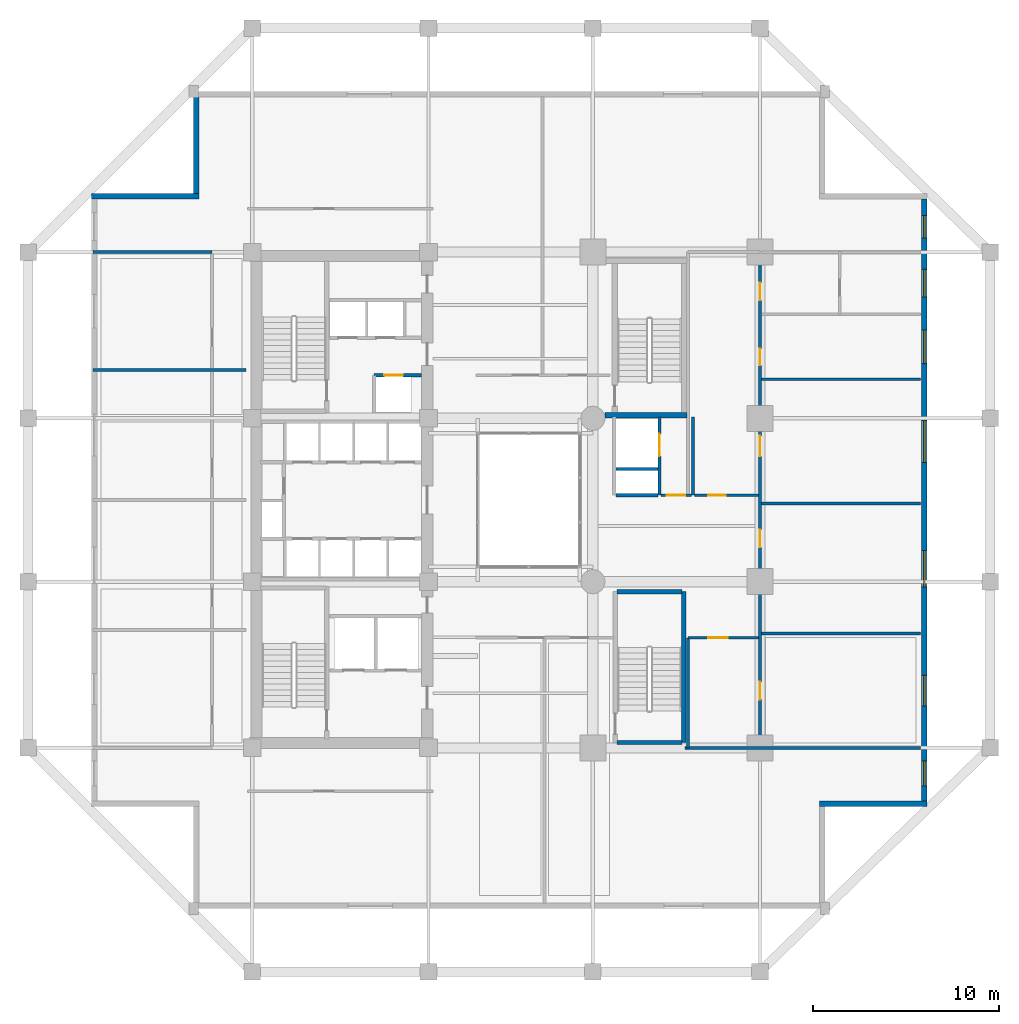
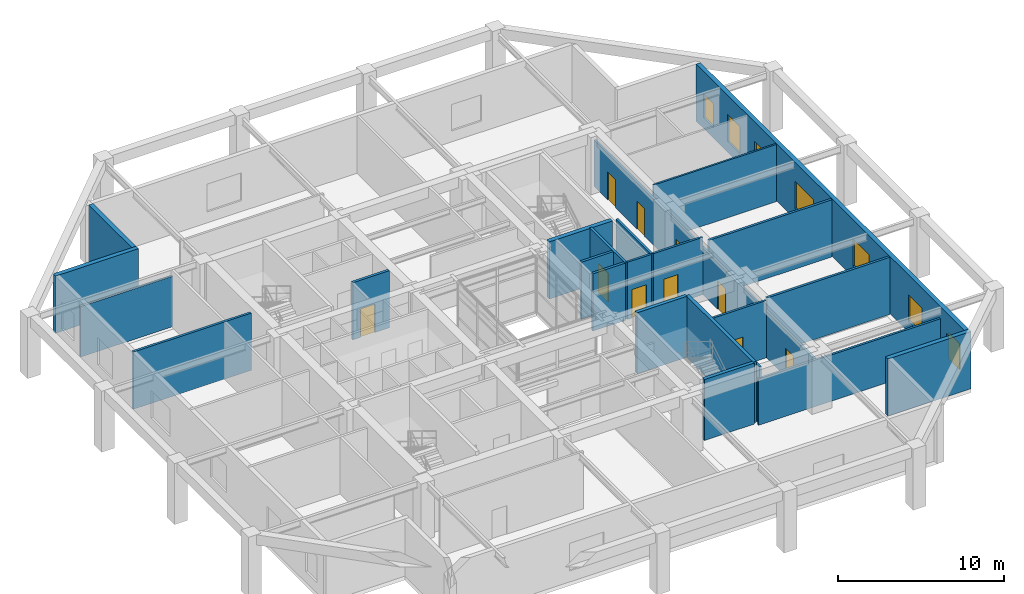
# One storey, part 8 of 13: 24 walls, 10 doors, 7 windows, 17 openings.
"""IFC4 building model written with IfcOpenShell, lengths in metres."""

from ifc_helpers import new_model, si_unit, direction, frame, frame_2d, origin, place, context, subcontext, project, spatial, rectangle, extrude, material, layer, layer_set, type_object, element, fill, save


model = new_model("IFC4")

# Units and contexts
model_context = context("Model", 3, precision=1e-05, world=origin(), true_north=direction((0.0, 1.0)))
body_context = subcontext(model_context, "Body", "Model", "MODEL_VIEW")
ifc_project = project(units=[si_unit("LENGTHUNIT", "METRE"), si_unit("AREAUNIT", "SQUARE_METRE"), si_unit("VOLUMEUNIT", "CUBIC_METRE"), si_unit("PLANEANGLEUNIT", "RADIAN"), si_unit("MASSUNIT", "GRAM", prefix="KILO")], contexts=[model_context])

# Site, building, storey
site_placement = place(None, origin())
site = spatial("IfcSite", under=ifc_project, at=site_placement, CompositionType="ELEMENT")
building_placement = place(site_placement, origin())
building = spatial("IfcBuilding", under=site, at=building_placement, Name="Kundavana Baori Tower", CompositionType="ELEMENT")
storey_placement = place(building_placement, frame((0.0, 0.0, 17.0)))
storey = spatial("IfcBuildingStorey", under=building, at=storey_placement, Name="L03", CompositionType="ELEMENT", Elevation=17.0)

# Walls
ifc_material_1 = material(Name="Concrete C50/60", Category="concrete")
ifc_layer_1 = layer(ifc_material_1, 0.39990234375, Name="WL-CORE-400")
ifc_layer_set_1 = layer_set([ifc_layer_1], Name="Concrete C50/60")
wall_type_1 = type_object("IfcWallType", Name="WL-CORE-400", PredefinedType="SHEAR", material=ifc_layer_set_1)
wall_1_placement = place(storey_placement, frame((38.68994140625, 15.5400390625, 0.0), z_axis=(0.0, 0.0, 1.0), x_axis=(0.0, 1.0, 0.0)))
element("IfcWall", 1, at=wall_1_placement, inside=storey, type_object=wall_type_1, Name="WL-L03-ST4-E", PredefinedType="SHEAR", context=body_context, shape_type="SweptSolid", body=[
    extrude(rectangle(XDim=8.119873046875, YDim=0.239990234375, at=frame_2d((4.06005859375, 0.0))), origin(), (0.0, 0.0, 1.0), 4.5),
])
for number, where, z_axis, x_axis, name in (
    (2, (35.10009765625, 15.5400390625, 0.0), (0.0, 0.0, 1.0), (1.0, 0.0, 0.0), "WL-L03-ST4-S"),
    (3, (35.10009765625, 23.659912109375, 0.0), (0.0, 0.0, 1.0), (1.0, 0.0, 0.0), "WL-L03-ST4-N"),
):
    element("IfcWall", number, at=place(storey_placement, frame(where, z_axis=z_axis, x_axis=x_axis)), inside=storey, type_object=wall_type_1, Name=name, PredefinedType="SHEAR", context=body_context, shape_type="SweptSolid", body=[
        extrude(rectangle(XDim=3.5, YDim=0.239990234375, at=frame_2d((1.75, 0.0))), origin(), (0.0, 0.0, 1.0), 4.5),
    ])
ifc_material_2 = material(Name="Red-Buff Dholpur Sandstone Cladding on Concrete C40/50", Category="masonry")
ifc_layer_2 = layer(ifc_material_2, 0.300048828125, Name="WL-EXT-SAND-300")
ifc_layer_set_2 = layer_set([ifc_layer_2], Name="Red-Buff Dholpur Sandstone Cladding on Concrete C40/50")
wall_type_2 = type_object("IfcWallType", Name="WL-EXT-SAND-300", PredefinedType="STANDARD", material=ifc_layer_set_2)
wall_2_placement = place(storey_placement, frame((46.0, 12.25, 0.0), z_axis=(0.0, 0.0, 1.0), x_axis=(1.0, 0.0, 0.0)))
element("IfcWall", 4, at=wall_2_placement, inside=storey, type_object=wall_type_2, Name="L03 Exterior Insulated Facade Wall 03", PredefinedType="STANDARD", context=body_context, shape_type="SweptSolid", body=[
    extrude(rectangle(XDim=5.800048828125, YDim=0.300048828125, at=frame_2d((2.89990234375, 0.0))), origin(), (0.0, 0.0, 1.0), 4.219970703125),
])

# Wall, openings, windows
wall_3_placement = place(storey_placement, frame((51.64990234375, 12.39990234375, 0.0), z_axis=(0.0, 0.0, 1.0), x_axis=(0.0, 1.0, 0.0)))
wall_3 = element("IfcWall", 5, at=wall_3_placement, inside=storey, type_object=wall_type_2, Name="L03 Exterior Insulated Facade Wall 04", PredefinedType="STANDARD", context=body_context, shape_type="SweptSolid", body=[
    extrude(rectangle(XDim=32.400146484375, YDim=0.300048828125, at=frame_2d((16.2001953125, 0.0))), origin(), (0.0, 0.0, 1.0), 4.219970703125),
])
opening_1_placement = place(wall_3_placement, frame((0.804931640625, 0.0, 0.800048828125)))
opening_1 = element("IfcOpeningElement", 6, at=opening_1_placement, cuts=wall_3, Name="Opening W-07", PredefinedType="OPENING", context=body_context, shape_type="SweptSolid", body=[
    extrude(rectangle(XDim=1.35009765625, YDim=1.89990234375, at=frame_2d((0.675048828125, 0.949951171875))), frame((0.0, 0.16015625, 0.0), z_axis=(0.0, -1.0, 0.0), x_axis=(1.0, 0.0, 0.0)), (0.0, 0.0, 1.0), 0.320068359375),
])
opening_2_placement = place(wall_3_placement, frame((5.10009765625, 0.0, 0.800048828125)))
opening_2 = element("IfcOpeningElement", 7, at=opening_2_placement, cuts=wall_3, Name="Opening W-08", PredefinedType="OPENING", context=body_context, shape_type="SweptSolid", body=[
    extrude(rectangle(XDim=1.64990234375, YDim=1.949951171875, at=frame_2d((0.824951171875, 0.97509765625))), frame((0.0, 0.16015625, 0.0), z_axis=(0.0, -1.0, 0.0), x_axis=(1.0, 0.0, 0.0)), (0.0, 0.0, 1.0), 0.320068359375),
])
opening_3_placement = place(wall_3_placement, frame((11.52490234375, 0.0, 0.800048828125)))
opening_3 = element("IfcOpeningElement", 8, at=opening_3_placement, cuts=wall_3, Name="Opening W-09", PredefinedType="OPENING", context=body_context, shape_type="SweptSolid", body=[
    extrude(rectangle(XDim=1.949951171875, YDim=2.0, at=frame_2d((0.97509765625, 1.0))), frame((0.0, 0.16015625, 0.0), z_axis=(0.0, -1.0, 0.0), x_axis=(1.0, 0.0, 0.0)), (0.0, 0.0, 1.0), 0.320068359375),
])
opening_4_placement = place(wall_3_placement, frame((18.22509765625, 0.0, 0.800048828125)))
opening_4 = element("IfcOpeningElement", 9, at=opening_4_placement, cuts=wall_3, Name="Opening W-10", PredefinedType="OPENING", context=body_context, shape_type="SweptSolid", body=[
    extrude(rectangle(XDim=2.25, YDim=2.0, at=frame_2d((1.125, 1.0))), frame((0.0, 0.16015625, 0.0), z_axis=(0.0, -1.0, 0.0), x_axis=(1.0, 0.0, 0.0)), (0.0, 0.0, 1.0), 0.320068359375),
])
opening_5_placement = place(wall_3_placement, frame((23.550048828125, 0.0, 0.800048828125)))
opening_5 = element("IfcOpeningElement", 10, at=opening_5_placement, cuts=wall_3, Name="Opening W-01", PredefinedType="OPENING", context=body_context, shape_type="SweptSolid", body=[
    extrude(rectangle(XDim=1.800048828125, YDim=2.0, at=frame_2d((0.89990234375, 1.0))), frame((0.0, 0.16015625, 0.0), z_axis=(0.0, -1.0, 0.0), x_axis=(1.0, 0.0, 0.0)), (0.0, 0.0, 1.0), 0.320068359375),
])
opening_6_placement = place(wall_3_placement, frame((27.125, 0.0, 0.800048828125)))
opening_6 = element("IfcOpeningElement", 11, at=opening_6_placement, cuts=wall_3, Name="Opening W-02", PredefinedType="OPENING", context=body_context, shape_type="SweptSolid", body=[
    extrude(rectangle(XDim=1.5, YDim=2.0, at=frame_2d((0.75, 1.0))), frame((0.0, 0.16015625, 0.0), z_axis=(0.0, -1.0, 0.0), x_axis=(1.0, 0.0, 0.0)), (0.0, 0.0, 1.0), 0.320068359375),
])
opening_7_placement = place(wall_3_placement, frame((30.320068359375, 0.0, 0.800048828125)))
opening_7 = element("IfcOpeningElement", 12, at=opening_7_placement, cuts=wall_3, Name="Opening W-03", PredefinedType="OPENING", context=body_context, shape_type="SweptSolid", body=[
    extrude(rectangle(XDim=1.199951171875, YDim=1.75, at=frame_2d((0.60009765625, 0.875))), frame((0.0, 0.16015625, 0.0), z_axis=(0.0, -1.0, 0.0), x_axis=(1.0, 0.0, 0.0)), (0.0, 0.0, 1.0), 0.320068359375),
])
ifc_material_3 = material(Name="Double-Glazed Solar-Control Low-E Insulated Glass", Category="glass")
window_type_1 = type_object("IfcWindowType", Name="WIN-LOG-1200x1750", PartitioningType="SINGLE_PANEL", PredefinedType="WINDOW", material=ifc_material_3)
window_1_placement = place(opening_7_placement, origin())
window_1 = element("IfcWindow", 13, at=window_1_placement, inside=storey, type_object=window_type_1, Name="L03 Recessed Loggia Window E-7", OverallHeight=1.75, OverallWidth=1.199951171875, PartitioningType="SINGLE_PANEL", PredefinedType="WINDOW", context=body_context, shape_type="SweptSolid", body=[
    extrude(rectangle(XDim=1.199951171875, YDim=1.75, at=frame_2d((0.60009765625, 0.875))), frame((0.0, 0.030029296875, 0.0), z_axis=(0.0, -1.0, 0.0), x_axis=(1.0, 0.0, 0.0)), (0.0, 0.0, 1.0), 0.06005859375),
])
fill(opening_7, window_1)
ifc_material_4 = material(Name="Double-Glazed Solar-Control Low-E Insulated Glass", Category="glass")
window_type_2 = type_object("IfcWindowType", Name="WIN-LOG-1350x1900", PartitioningType="SINGLE_PANEL", PredefinedType="WINDOW", material=ifc_material_4)
window_2_placement = place(opening_1_placement, origin())
window_2 = element("IfcWindow", 14, at=window_2_placement, inside=storey, type_object=window_type_2, Name="L03 Recessed Loggia Window E-1", OverallHeight=1.89990234375, OverallWidth=1.35009765625, PartitioningType="SINGLE_PANEL", PredefinedType="WINDOW", context=body_context, shape_type="SweptSolid", body=[
    extrude(rectangle(XDim=1.35009765625, YDim=1.89990234375, at=frame_2d((0.675048828125, 0.949951171875))), frame((0.0, 0.030029296875, 0.0), z_axis=(0.0, -1.0, 0.0), x_axis=(1.0, 0.0, 0.0)), (0.0, 0.0, 1.0), 0.06005859375),
])
fill(opening_1, window_2)
ifc_material_5 = material(Name="Double-Glazed Solar-Control Low-E Insulated Glass", Category="glass")
window_type_3 = type_object("IfcWindowType", Name="WIN-LOG-1500x2000", PartitioningType="SINGLE_PANEL", PredefinedType="WINDOW", material=ifc_material_5)
window_3_placement = place(opening_6_placement, origin())
window_3 = element("IfcWindow", 15, at=window_3_placement, inside=storey, type_object=window_type_3, Name="L03 Recessed Loggia Window E-6", OverallHeight=2.0, OverallWidth=1.5, PartitioningType="SINGLE_PANEL", PredefinedType="WINDOW", context=body_context, shape_type="SweptSolid", body=[
    extrude(rectangle(XDim=1.5, YDim=2.0, at=frame_2d((0.75, 1.0))), frame((0.0, 0.030029296875, 0.0), z_axis=(0.0, -1.0, 0.0), x_axis=(1.0, 0.0, 0.0)), (0.0, 0.0, 1.0), 0.06005859375),
])
fill(opening_6, window_3)
ifc_material_6 = material(Name="Double-Glazed Solar-Control Low-E Insulated Glass", Category="glass")
window_type_4 = type_object("IfcWindowType", Name="WIN-LOG-1650x1950", PartitioningType="SINGLE_PANEL", PredefinedType="WINDOW", material=ifc_material_6)
window_4_placement = place(opening_2_placement, origin())
window_4 = element("IfcWindow", 16, at=window_4_placement, inside=storey, type_object=window_type_4, Name="L03 Recessed Loggia Window E-2", OverallHeight=1.949951171875, OverallWidth=1.64990234375, PartitioningType="SINGLE_PANEL", PredefinedType="WINDOW", context=body_context, shape_type="SweptSolid", body=[
    extrude(rectangle(XDim=1.64990234375, YDim=1.949951171875, at=frame_2d((0.824951171875, 0.97509765625))), frame((0.0, 0.030029296875, 0.0), z_axis=(0.0, -1.0, 0.0), x_axis=(1.0, 0.0, 0.0)), (0.0, 0.0, 1.0), 0.06005859375),
])
fill(opening_2, window_4)
ifc_material_7 = material(Name="Double-Glazed Solar-Control Low-E Insulated Glass", Category="glass")
window_type_5 = type_object("IfcWindowType", Name="WIN-LOG-1800x2000", PartitioningType="SINGLE_PANEL", PredefinedType="WINDOW", material=ifc_material_7)
window_5_placement = place(opening_5_placement, origin())
window_5 = element("IfcWindow", 17, at=window_5_placement, inside=storey, type_object=window_type_5, Name="L03 Recessed Loggia Window E-5", OverallHeight=2.0, OverallWidth=1.800048828125, PartitioningType="SINGLE_PANEL", PredefinedType="WINDOW", context=body_context, shape_type="SweptSolid", body=[
    extrude(rectangle(XDim=1.800048828125, YDim=2.0, at=frame_2d((0.89990234375, 1.0))), frame((0.0, 0.030029296875, 0.0), z_axis=(0.0, -1.0, 0.0), x_axis=(1.0, 0.0, 0.0)), (0.0, 0.0, 1.0), 0.06005859375),
])
fill(opening_5, window_5)
ifc_material_8 = material(Name="Double-Glazed Solar-Control Low-E Insulated Glass", Category="glass")
window_type_6 = type_object("IfcWindowType", Name="WIN-LOG-1950x2000", PartitioningType="SINGLE_PANEL", PredefinedType="WINDOW", material=ifc_material_8)
window_6_placement = place(opening_3_placement, origin())
window_6 = element("IfcWindow", 18, at=window_6_placement, inside=storey, type_object=window_type_6, Name="L03 Recessed Loggia Window E-3", OverallHeight=2.0, OverallWidth=1.949951171875, PartitioningType="SINGLE_PANEL", PredefinedType="WINDOW", context=body_context, shape_type="SweptSolid", body=[
    extrude(rectangle(XDim=1.949951171875, YDim=2.0, at=frame_2d((0.97509765625, 1.0))), frame((0.0, 0.030029296875, 0.0), z_axis=(0.0, -1.0, 0.0), x_axis=(1.0, 0.0, 0.0)), (0.0, 0.0, 1.0), 0.06005859375),
])
fill(opening_3, window_6)
ifc_material_9 = material(Name="Double-Glazed Solar-Control Low-E Insulated Glass", Category="glass")
window_type_7 = type_object("IfcWindowType", Name="WIN-LOG-2250x2000", PartitioningType="SINGLE_PANEL", PredefinedType="WINDOW", material=ifc_material_9)
window_7_placement = place(opening_4_placement, origin())
window_7 = element("IfcWindow", 19, at=window_7_placement, inside=storey, type_object=window_type_7, Name="L03 Recessed Loggia Window E-4", OverallHeight=2.0, OverallWidth=2.25, PartitioningType="SINGLE_PANEL", PredefinedType="WINDOW", context=body_context, shape_type="SweptSolid", body=[
    extrude(rectangle(XDim=2.25, YDim=2.0, at=frame_2d((1.125, 1.0))), frame((0.0, 0.030029296875, 0.0), z_axis=(0.0, -1.0, 0.0), x_axis=(1.0, 0.0, 0.0)), (0.0, 0.0, 1.0), 0.06005859375),
])
fill(opening_4, window_7)

# Walls
wall_4_placement = place(storey_placement, frame((12.449951171875, 50.300048828125, 0.0), z_axis=(0.0, 0.0, 1.0), x_axis=(0.0, -1.0, 0.0)))
element("IfcWall", 20, at=wall_4_placement, inside=storey, type_object=wall_type_2, Name="L03 Exterior Insulated Facade Wall 08", PredefinedType="STANDARD", context=body_context, shape_type="SweptSolid", body=[
    extrude(rectangle(XDim=5.199951171875, YDim=0.300048828125, at=frame_2d((2.60009765625, 0.0))), origin(), (0.0, 0.0, 1.0), 4.219970703125),
])
wall_5_placement = place(storey_placement, frame((12.60009765625, 44.949951171875, 0.0), z_axis=(0.0, 0.0, 1.0), x_axis=(-1.0, 0.0, 0.0)))
element("IfcWall", 21, at=wall_5_placement, inside=storey, type_object=wall_type_2, Name="L03 Exterior Insulated Facade Wall 09", PredefinedType="STANDARD", context=body_context, shape_type="SweptSolid", body=[
    extrude(rectangle(XDim=5.800048828125, YDim=0.300048828125, at=frame_2d((2.89990234375, 0.0))), origin(), (0.0, 0.0, 1.0), 4.219970703125),
])
ifc_material_10 = material(Name="Fire-Rated Gypsum Drywall on Galvanised Steel Studs", Category="steel")
ifc_layer_3 = layer(ifc_material_10, 0.14990234375, Name="WL-PART-150")
ifc_layer_set_3 = layer_set([ifc_layer_3], Name="Fire-Rated Gypsum Drywall on Galvanised Steel Studs")
wall_type_3 = type_object("IfcWallType", Name="WL-PART-150", PredefinedType="PARTITIONING", material=ifc_layer_set_3)
wall_6_placement = place(storey_placement, frame((39.199951171875, 28.860107421875, 0.0), z_axis=(0.0, 0.0, 1.0), x_axis=(0.0, 1.0, 0.0)))
element("IfcWall", 22, at=wall_6_placement, inside=storey, type_object=wall_type_3, Name="WL-L03-SVLOB-E", PredefinedType="PARTITIONING", context=body_context, shape_type="SweptSolid", body=[
    extrude(rectangle(XDim=4.219970703125, YDim=0.14990234375, at=frame_2d((2.10986328125, 0.0))), origin(), (0.0, 0.0, 1.0), 4.219970703125),
])

# Wall, opening, door
wall_7_placement = place(storey_placement, frame((37.47998046875, 28.860107421875, 0.0), z_axis=(0.0, 0.0, 1.0), x_axis=(1.0, 0.0, 0.0)))
wall_7 = element("IfcWall", 23, at=wall_7_placement, inside=storey, type_object=wall_type_3, Name="WL-L03-SVLOB-S", PredefinedType="PARTITIONING", context=body_context, shape_type="SweptSolid", body=[
    extrude(rectangle(XDim=1.64013671875, YDim=0.14990234375, at=frame_2d((0.820068359375, 0.0))), origin(), (0.0, 0.0, 1.0), 4.219970703125),
])
opening_8_placement = place(wall_7_placement, frame((0.300048828125, 0.0, 0.0)))
opening_8 = element("IfcOpeningElement", 24, at=opening_8_placement, cuts=wall_7, Name="Opening FD-100", PredefinedType="OPENING", context=body_context, shape_type="SweptSolid", body=[
    extrude(rectangle(XDim=1.0, YDim=2.10009765625, at=frame_2d((0.5, 1.050048828125))), frame((0.0, 0.0849609375, 0.0), z_axis=(0.0, -1.0, 0.0), x_axis=(1.0, 0.0, 0.0)), (0.0, 0.0, 1.0), 0.169921875),
])
ifc_material_11 = material(Name="Engineered Teak Fire-Rated Timber Door Leaf", Category="wood")
door_type_1 = type_object("IfcDoorType", Name="DR-FD60-1000", OperationType="NOTDEFINED", PredefinedType="DOOR", material=ifc_material_11)
door_1_placement = place(opening_8_placement, origin())
door_1 = element("IfcDoor", 25, at=door_1_placement, inside=storey, type_object=door_type_1, Name="DR-L03-SVLOB-OUT", OperationType="SINGLE_SWING_LEFT", OverallHeight=2.10009765625, OverallWidth=1.0, PredefinedType="DOOR", context=body_context, shape_type="SweptSolid", body=[
    extrude(rectangle(XDim=1.0, YDim=2.10009765625, at=frame_2d((0.5, 1.050048828125))), frame((0.0, 0.02490234375, 0.0), z_axis=(0.0, -1.0, 0.0), x_axis=(1.0, 0.0, 0.0)), (0.0, 0.0, 1.0), 0.050048828125),
])
fill(opening_8, door_1)

# Wall, openings, doors
wall_8_placement = place(storey_placement, frame((42.800048828125, 15.25, 0.0), z_axis=(0.0, 0.0, 1.0), x_axis=(0.0, 1.0, 0.0)))
wall_8 = element("IfcWall", 26, at=wall_8_placement, inside=storey, type_object=wall_type_3, Name="WL-L03-PODE", PredefinedType="PARTITIONING", context=body_context, shape_type="SweptSolid", body=[
    extrude(rectangle(XDim=26.699951171875, YDim=0.14990234375, at=frame_2d((13.35009765625, 0.0))), origin(), (0.0, 0.0, 1.0), 3.419921875),
])
opening_9_placement = place(wall_8_placement, frame((2.60009765625, 0.0, 0.0)))
opening_9 = element("IfcOpeningElement", 27, at=opening_9_placement, cuts=wall_8, Name="Opening ID-095", PredefinedType="OPENING", context=body_context, shape_type="SweptSolid", body=[
    extrude(rectangle(XDim=0.949951171875, YDim=2.080078125, at=frame_2d((0.47509765625, 1.0400390625))), frame((0.0, 0.0849609375, 0.0), z_axis=(0.0, -1.0, 0.0), x_axis=(1.0, 0.0, 0.0)), (0.0, 0.0, 1.0), 0.169921875),
])
opening_10_placement = place(wall_8_placement, frame((10.800048828125, 0.0, 0.0)))
opening_10 = element("IfcOpeningElement", 28, at=opening_10_placement, cuts=wall_8, Name="Opening ID-095", PredefinedType="OPENING", context=body_context, shape_type="SweptSolid", body=[
    extrude(rectangle(XDim=0.949951171875, YDim=2.080078125, at=frame_2d((0.47509765625, 1.0400390625))), frame((0.0, 0.0849609375, 0.0), z_axis=(0.0, -1.0, 0.0), x_axis=(1.0, 0.0, 0.0)), (0.0, 0.0, 1.0), 0.169921875),
])
opening_11_placement = place(wall_8_placement, frame((15.699951171875, 0.0, 0.0)))
opening_11 = element("IfcOpeningElement", 29, at=opening_11_placement, cuts=wall_8, Name="Opening FD-112", PredefinedType="OPENING", context=body_context, shape_type="SweptSolid", body=[
    extrude(rectangle(XDim=1.10009765625, YDim=2.1201171875, at=frame_2d((0.550048828125, 1.06005859375))), frame((0.0, 0.0849609375, 0.0), z_axis=(0.0, -1.0, 0.0), x_axis=(1.0, 0.0, 0.0)), (0.0, 0.0, 1.0), 0.169921875),
])
opening_12_placement = place(wall_8_placement, frame((20.60009765625, 0.0, 0.0)))
opening_12 = element("IfcOpeningElement", 30, at=opening_12_placement, cuts=wall_8, Name="Opening WD-090", PredefinedType="OPENING", context=body_context, shape_type="SweptSolid", body=[
    extrude(rectangle(XDim=0.89990234375, YDim=2.050048828125, at=frame_2d((0.449951171875, 1.02490234375))), frame((0.0, 0.0849609375, 0.0), z_axis=(0.0, -1.0, 0.0), x_axis=(1.0, 0.0, 0.0)), (0.0, 0.0, 1.0), 0.169921875),
])
opening_13_placement = place(wall_8_placement, frame((24.10009765625, 0.0, 0.0)))
opening_13 = element("IfcOpeningElement", 31, at=opening_13_placement, cuts=wall_8, Name="Opening WD-095", PredefinedType="OPENING", context=body_context, shape_type="SweptSolid", body=[
    extrude(rectangle(XDim=0.949951171875, YDim=2.050048828125, at=frame_2d((0.47509765625, 1.02490234375))), frame((0.0, 0.0849609375, 0.0), z_axis=(0.0, -1.0, 0.0), x_axis=(1.0, 0.0, 0.0)), (0.0, 0.0, 1.0), 0.169921875),
])
ifc_material_12 = material(Name="Engineered Teak Fire-Rated Timber Door Leaf", Category="wood")
door_type_2 = type_object("IfcDoorType", Name="DR-FD60-1100", OperationType="NOTDEFINED", PredefinedType="DOOR", material=ifc_material_12)
door_2_placement = place(opening_11_placement, origin())
door_2 = element("IfcDoor", 32, at=door_2_placement, inside=storey, type_object=door_type_2, Name="DR-L03-KITC", OperationType="SINGLE_SWING_LEFT", OverallHeight=2.1201171875, OverallWidth=1.10009765625, PredefinedType="DOOR", context=body_context, shape_type="SweptSolid", body=[
    extrude(rectangle(XDim=1.10009765625, YDim=2.1201171875, at=frame_2d((0.550048828125, 1.06005859375))), frame((0.0, 0.02490234375, 0.0), z_axis=(0.0, -1.0, 0.0), x_axis=(1.0, 0.0, 0.0)), (0.0, 0.0, 1.0), 0.050048828125),
])
fill(opening_11, door_2)
ifc_material_13 = material(Name="Engineered Teak Solid-Core Timber Veneer", Category="wood")
door_type_3 = type_object("IfcDoorType", Name="DR-INT-950", OperationType="NOTDEFINED", PredefinedType="DOOR", material=ifc_material_13)
door_3_placement = place(opening_9_placement, origin())
door_3 = element("IfcDoor", 33, at=door_3_placement, inside=storey, type_object=door_type_3, Name="DR-L03-MTGE1", OperationType="SINGLE_SWING_LEFT", OverallHeight=2.080078125, OverallWidth=0.949951171875, PredefinedType="DOOR", context=body_context, shape_type="SweptSolid", body=[
    extrude(rectangle(XDim=0.949951171875, YDim=2.080078125, at=frame_2d((0.47509765625, 1.0400390625))), frame((0.0, 0.02490234375, 0.0), z_axis=(0.0, -1.0, 0.0), x_axis=(1.0, 0.0, 0.0)), (0.0, 0.0, 1.0), 0.050048828125),
])
fill(opening_9, door_3)
door_4_placement = place(opening_10_placement, origin())
door_4 = element("IfcDoor", 34, at=door_4_placement, inside=storey, type_object=door_type_3, Name="DR-L03-MTGE2", OperationType="SINGLE_SWING_RIGHT", OverallHeight=2.080078125, OverallWidth=0.949951171875, PredefinedType="DOOR", context=body_context, shape_type="SweptSolid", body=[
    extrude(rectangle(XDim=0.949951171875, YDim=2.080078125, at=frame_2d((0.47509765625, 1.0400390625))), frame((0.0, 0.02490234375, 0.0), z_axis=(0.0, -1.0, 0.0), x_axis=(1.0, 0.0, 0.0)), (0.0, 0.0, 1.0), 0.050048828125),
])
fill(opening_10, door_4)
ifc_material_14 = material(Name="Engineered Teak Solid-Core Timber Veneer", Category="wood")
door_type_4 = type_object("IfcDoorType", Name="DR-WET-900", OperationType="NOTDEFINED", PredefinedType="DOOR", material=ifc_material_14)
door_5_placement = place(opening_12_placement, origin())
door_5 = element("IfcDoor", 35, at=door_5_placement, inside=storey, type_object=door_type_4, Name="DR-L03-WCP", OperationType="SINGLE_SWING_RIGHT", OverallHeight=2.050048828125, OverallWidth=0.89990234375, PredefinedType="DOOR", context=body_context, shape_type="SweptSolid", body=[
    extrude(rectangle(XDim=0.89990234375, YDim=2.050048828125, at=frame_2d((0.449951171875, 1.02490234375))), frame((0.0, 0.02490234375, 0.0), z_axis=(0.0, -1.0, 0.0), x_axis=(1.0, 0.0, 0.0)), (0.0, 0.0, 1.0), 0.050048828125),
])
fill(opening_12, door_5)
ifc_material_15 = material(Name="Engineered Teak Solid-Core Timber Veneer", Category="wood")
door_type_5 = type_object("IfcDoorType", Name="DR-WET-950", OperationType="NOTDEFINED", PredefinedType="DOOR", material=ifc_material_15)
door_6_placement = place(opening_13_placement, origin())
door_6 = element("IfcDoor", 36, at=door_6_placement, inside=storey, type_object=door_type_5, Name="DR-L03-WCA", OperationType="SINGLE_SWING_LEFT", OverallHeight=2.050048828125, OverallWidth=0.949951171875, PredefinedType="DOOR", context=body_context, shape_type="SweptSolid", body=[
    extrude(rectangle(XDim=0.949951171875, YDim=2.050048828125, at=frame_2d((0.47509765625, 1.02490234375))), frame((0.0, 0.02490234375, 0.0), z_axis=(0.0, -1.0, 0.0), x_axis=(1.0, 0.0, 0.0)), (0.0, 0.0, 1.0), 0.050048828125),
])
fill(opening_13, door_6)

# Wall
wall_9_placement = place(storey_placement, frame((38.75, 15.25, 0.0), z_axis=(0.0, 0.0, 1.0), x_axis=(1.0, 0.0, 0.0)))
element("IfcWall", 37, at=wall_9_placement, inside=storey, type_object=wall_type_3, Name="WL-L03-PODE-S", PredefinedType="PARTITIONING", context=body_context, shape_type="SweptSolid", body=[
    extrude(rectangle(XDim=12.699951171875, YDim=0.14990234375, at=frame_2d((6.35009765625, 0.0))), origin(), (0.0, 0.0, 1.0), 3.419921875),
])

# Wall, opening, door
wall_10_placement = place(storey_placement, frame((38.919921875, 21.179931640625, 0.0), z_axis=(0.0, 0.0, 1.0), x_axis=(1.0, 0.0, 0.0)))
wall_10 = element("IfcWall", 38, at=wall_10_placement, inside=storey, type_object=wall_type_3, Name="WL-L03-PSEBN", PredefinedType="PARTITIONING", context=body_context, shape_type="SweptSolid", body=[
    extrude(rectangle(XDim=3.800048828125, YDim=0.14990234375, at=frame_2d((1.89990234375, 0.0))), origin(), (0.0, 0.0, 1.0), 4.219970703125),
])
opening_14_placement = place(wall_10_placement, frame((1.10009765625, 0.0, 0.0)))
opening_14 = element("IfcOpeningElement", 39, at=opening_14_placement, cuts=wall_10, Name="Opening ID-105", PredefinedType="OPENING", context=body_context, shape_type="SweptSolid", body=[
    extrude(rectangle(XDim=1.050048828125, YDim=2.10009765625, at=frame_2d((0.52490234375, 1.050048828125))), frame((0.0, 0.0849609375, 0.0), z_axis=(0.0, -1.0, 0.0), x_axis=(1.0, 0.0, 0.0)), (0.0, 0.0, 1.0), 0.169921875),
])
ifc_material_16 = material(Name="Engineered Teak Solid-Core Timber Veneer", Category="wood")
door_type_6 = type_object("IfcDoorType", Name="DR-INT-1050", OperationType="NOTDEFINED", PredefinedType="DOOR", material=ifc_material_16)
door_7_placement = place(opening_14_placement, origin())
door_7 = element("IfcDoor", 40, at=door_7_placement, inside=storey, type_object=door_type_6, Name="DR-L03-BKSE", OperationType="SINGLE_SWING_LEFT", OverallHeight=2.10009765625, OverallWidth=1.050048828125, PredefinedType="DOOR", context=body_context, shape_type="SweptSolid", body=[
    extrude(rectangle(XDim=1.050048828125, YDim=2.10009765625, at=frame_2d((0.52490234375, 1.050048828125))), frame((0.0, 0.02490234375, 0.0), z_axis=(0.0, -1.0, 0.0), x_axis=(1.0, 0.0, 0.0)), (0.0, 0.0, 1.0), 0.050048828125),
])
fill(opening_14, door_7)

# Wall
wall_11_placement = place(storey_placement, frame((38.919921875, 15.25, 0.0), z_axis=(0.0, 0.0, 1.0), x_axis=(0.0, 1.0, 0.0)))
element("IfcWall", 41, at=wall_11_placement, inside=storey, type_object=wall_type_3, Name="WL-L03-PSEBW", PredefinedType="PARTITIONING", context=body_context, shape_type="SweptSolid", body=[
    extrude(rectangle(XDim=5.929931640625, YDim=0.14990234375, at=frame_2d((2.96484375, 0.0))), origin(), (0.0, 0.0, 1.0), 4.219970703125),
])

# Wall, opening, door
wall_12_placement = place(storey_placement, frame((39.280029296875, 28.860107421875, 0.0), z_axis=(0.0, 0.0, 1.0), x_axis=(1.0, 0.0, 0.0)))
wall_12 = element("IfcWall", 42, at=wall_12_placement, inside=storey, type_object=wall_type_3, Name="WL-L03-PEATS", PredefinedType="PARTITIONING", context=body_context, shape_type="SweptSolid", body=[
    extrude(rectangle(XDim=3.43994140625, YDim=0.14990234375, at=frame_2d((1.719970703125, 0.0))), origin(), (0.0, 0.0, 1.0), 4.219970703125),
])
opening_15_placement = place(wall_12_placement, frame((0.739990234375, 0.0, 0.0)))
opening_15 = element("IfcOpeningElement", 43, at=opening_15_placement, cuts=wall_12, Name="Opening ID-095", PredefinedType="OPENING", context=body_context, shape_type="SweptSolid", body=[
    extrude(rectangle(XDim=0.949951171875, YDim=2.080078125, at=frame_2d((0.47509765625, 1.0400390625))), frame((0.0, 0.0849609375, 0.0), z_axis=(0.0, -1.0, 0.0), x_axis=(1.0, 0.0, 0.0)), (0.0, 0.0, 1.0), 0.169921875),
])
door_8_placement = place(opening_15_placement, frame((0.949951171875, 0.0, 0.0), z_axis=(0.0, 0.0, 1.0), x_axis=(-1.0, 0.0, 0.0)))
door_8 = element("IfcDoor", 44, at=door_8_placement, inside=storey, type_object=door_type_3, Name="DR-L03-SLEA", OperationType="SINGLE_SWING_LEFT", OverallHeight=2.080078125, OverallWidth=0.949951171875, PredefinedType="DOOR", context=body_context, shape_type="SweptSolid", body=[
    extrude(rectangle(XDim=0.949951171875, YDim=2.080078125, at=frame_2d((0.47509765625, 1.0400390625))), frame((0.0, 0.02490234375, 0.0), z_axis=(0.0, -1.0, 0.0), x_axis=(1.0, 0.0, 0.0)), (0.0, 0.0, 1.0), 0.050048828125),
])
fill(opening_15, door_8)

# Walls
ifc_material_17 = material(Name="Fire-Rated Gypsum Drywall on Galvanised Steel Studs", Category="steel")
ifc_layer_4 = layer(ifc_material_17, 0.1650390625, Name="WL-PART-165")
ifc_layer_set_4 = layer_set([ifc_layer_4], Name="Fire-Rated Gypsum Drywall on Galvanised Steel Studs")
wall_type_4 = type_object("IfcWallType", Name="WL-PART-165", PredefinedType="PARTITIONING", material=ifc_layer_set_4)
wall_13_placement = place(storey_placement, frame((6.8798828125, 41.949951171875, 0.0), z_axis=(0.0, 0.0, 1.0), x_axis=(1.0, 0.0, 0.0)))
element("IfcWall", 45, at=wall_13_placement, inside=storey, type_object=wall_type_4, Name="WL-L03-PW-N", PredefinedType="PARTITIONING", context=body_context, shape_type="SweptSolid", body=[
    extrude(rectangle(XDim=6.420166015625, YDim=0.1650390625, at=frame_2d((3.2099609375, 0.0))), origin(), (0.0, 0.0, 1.0), 3.719970703125),
])
for number, where, z_axis, x_axis, name in (
    (46, (42.8798828125, 21.39990234375, 0.0), (0.0, 0.0, 1.0), (1.0, 0.0, 0.0), "WL-L03-CD1"),
    (47, (42.8798828125, 28.39990234375, 0.0), (0.0, 0.0, 1.0), (1.0, 0.0, 0.0), "WL-L03-CD2"),
):
    element("IfcWall", number, at=place(storey_placement, frame(where, z_axis=z_axis, x_axis=x_axis)), inside=storey, type_object=wall_type_4, Name=name, PredefinedType="PARTITIONING", context=body_context, shape_type="SweptSolid", body=[
        extrude(rectangle(XDim=8.570068359375, YDim=0.1650390625, at=frame_2d((4.28515625, 0.0))), origin(), (0.0, 0.0, 1.0), 4.219970703125),
    ])
wall_14_placement = place(storey_placement, frame((6.8798828125, 35.60009765625, 0.0), z_axis=(0.0, 0.0, 1.0), x_axis=(1.0, 0.0, 0.0)))
element("IfcWall", 48, at=wall_14_placement, inside=storey, type_object=wall_type_4, Name="WL-L03-GW3", PredefinedType="PARTITIONING", context=body_context, shape_type="SweptSolid", body=[
    extrude(rectangle(XDim=8.240234375, YDim=0.1650390625, at=frame_2d((4.1201171875, 0.0))), origin(), (0.0, 0.0, 1.0), 4.219970703125),
])

# Wall, opening, door
ifc_material_18 = material(Name="Autoclaved Aerated Concrete Blockwork Masonry", Category="masonry")
ifc_layer_5 = layer(ifc_material_18, 0.179931640625, Name="WL-SHAFT-180")
ifc_layer_set_5 = layer_set([ifc_layer_5], Name="Autoclaved Aerated Concrete Blockwork Masonry")
wall_type_5 = type_object("IfcWallType", Name="WL-SHAFT-180", PredefinedType="SOLIDWALL", material=ifc_layer_set_5)
wall_15_placement = place(storey_placement, frame((22.02001953125, 35.31005859375, 0.0), z_axis=(0.0, 0.0, 1.0), x_axis=(1.0, 0.0, 0.0)))
wall_15 = element("IfcWall", 49, at=wall_15_placement, inside=storey, type_object=wall_type_5, Name="WL-L03-LP11-N", PredefinedType="SOLIDWALL", context=body_context, shape_type="SweptSolid", body=[
    extrude(rectangle(XDim=2.56005859375, YDim=0.179931640625, at=frame_2d((1.280029296875, 0.0))), origin(), (0.0, 0.0, 1.0), 4.219970703125),
])
opening_16_placement = place(wall_15_placement, frame((0.550048828125, 0.0, 0.0)))
opening_16 = element("IfcOpeningElement", 50, at=opening_16_placement, cuts=wall_15, Name="Opening LD-100", PredefinedType="OPENING", context=body_context, shape_type="SweptSolid", body=[
    extrude(rectangle(XDim=1.0, YDim=2.10009765625, at=frame_2d((0.5, 1.050048828125))), frame((0.0, 0.10009765625, 0.0), z_axis=(0.0, -1.0, 0.0), x_axis=(1.0, 0.0, 0.0)), (0.0, 0.0, 1.0), 0.199951171875),
])
ifc_material_19 = material(Name="Galvanised Steel Fire-Rated Door Leaf", Category="steel")
door_type_7 = type_object("IfcDoorType", Name="DR-SLIDE-LD1000", OperationType="NOTDEFINED", PredefinedType="DOOR", material=ifc_material_19)
door_9_placement = place(opening_16_placement, origin())
door_9 = element("IfcDoor", 51, at=door_9_placement, inside=storey, type_object=door_type_7, Name="DR-L03-LD-LP11", OperationType="DOUBLE_DOOR_SLIDING", OverallHeight=2.10009765625, OverallWidth=1.0, PredefinedType="DOOR", context=body_context, shape_type="SweptSolid", body=[
    extrude(rectangle(XDim=1.0, YDim=2.10009765625, at=frame_2d((0.5, 1.050048828125))), frame((0.0, 0.02490234375, 0.0), z_axis=(0.0, -1.0, 0.0), x_axis=(1.0, 0.0, 0.0)), (0.0, 0.0, 1.0), 0.050048828125),
])
fill(opening_16, door_9)

wall_16_placement = place(storey_placement, frame((37.389892578125, 28.860107421875, 0.0), z_axis=(0.0, 0.0, 1.0), x_axis=(0.0, 1.0, 0.0)))
wall_16 = element("IfcWall", 52, at=wall_16_placement, inside=storey, type_object=wall_type_5, Name="WL-L03-SVL-E", PredefinedType="SOLIDWALL", context=body_context, shape_type="SweptSolid", body=[
    extrude(rectangle(XDim=4.219970703125, YDim=0.179931640625, at=frame_2d((2.10986328125, 0.0))), origin(), (0.0, 0.0, 1.0), 4.219970703125),
])
opening_17_placement = place(wall_16_placement, frame((2.10009765625, 0.0, 0.0)))
opening_17 = element("IfcOpeningElement", 53, at=opening_17_placement, cuts=wall_16, Name="Opening LD-120", PredefinedType="OPENING", context=body_context, shape_type="SweptSolid", body=[
    extrude(rectangle(XDim=1.199951171875, YDim=2.1201171875, at=frame_2d((0.60009765625, 1.06005859375))), frame((0.0, 0.10009765625, 0.0), z_axis=(0.0, -1.0, 0.0), x_axis=(1.0, 0.0, 0.0)), (0.0, 0.0, 1.0), 0.199951171875),
])
ifc_material_20 = material(Name="Galvanised Steel Fire-Rated Door Leaf", Category="steel")
door_type_8 = type_object("IfcDoorType", Name="DR-SLIDE-LD1200", OperationType="NOTDEFINED", PredefinedType="DOOR", material=ifc_material_20)
door_10_placement = place(opening_17_placement, frame((1.199951171875, 0.0, 0.0), z_axis=(0.0, 0.0, 1.0), x_axis=(-1.0, 0.0, 0.0)))
door_10 = element("IfcDoor", 54, at=door_10_placement, inside=storey, type_object=door_type_8, Name="DR-L03-LD-SVL1", OperationType="DOUBLE_DOOR_SLIDING", OverallHeight=2.1201171875, OverallWidth=1.199951171875, PredefinedType="DOOR", context=body_context, shape_type="SweptSolid", body=[
    extrude(rectangle(XDim=1.199951171875, YDim=2.1201171875, at=frame_2d((0.60009765625, 1.06005859375))), frame((0.0, 0.02490234375, 0.0), z_axis=(0.0, -1.0, 0.0), x_axis=(1.0, 0.0, 0.0)), (0.0, 0.0, 1.0), 0.050048828125),
])
fill(opening_17, door_10)

# Walls
for number, where, z_axis, x_axis, name in (
    (55, (35.050048828125, 28.860107421875, 0.0), (0.0, 0.0, 1.0), (1.0, 0.0, 0.0), "WL-L03-SVL-S"),
    (56, (35.050048828125, 30.27001953125, 0.0), (0.0, 0.0, 1.0), (1.0, 0.0, 0.0), "WL-L03-SVL-M"),
):
    element("IfcWall", number, at=place(storey_placement, frame(where, z_axis=z_axis, x_axis=x_axis)), inside=storey, type_object=wall_type_5, Name=name, PredefinedType="SOLIDWALL", context=body_context, shape_type="SweptSolid", body=[
        extrude(rectangle(XDim=2.25, YDim=0.179931640625, at=frame_2d((1.125, 0.0))), origin(), (0.0, 0.0, 1.0), 4.219970703125),
    ])
ifc_material_21 = material(Name="Concrete C50/60", Category="concrete")
ifc_layer_6 = layer(ifc_material_21, 0.300048828125, Name="WL-ST3-300")
ifc_layer_set_6 = layer_set([ifc_layer_6], Name="Concrete C50/60")
wall_type_6 = type_object("IfcWallType", Name="WL-ST3-300", PredefinedType="SHEAR", material=ifc_layer_set_6)
wall_17_placement = place(storey_placement, frame((34.449951171875, 33.159912109375, 0.0), z_axis=(0.0, 0.0, 1.0), x_axis=(1.0, 0.0, 0.0)))
element("IfcWall", 57, at=wall_17_placement, inside=storey, type_object=wall_type_6, Name="L03 Stair ST3 South Shear Wall", PredefinedType="SHEAR", context=body_context, shape_type="SweptSolid", body=[
    extrude(rectangle(XDim=4.420166015625, YDim=0.300048828125, at=frame_2d((2.2099609375, 0.0))), origin(), (0.0, 0.0, 1.0), 4.219970703125),
])
ifc_material_22 = material(Name="Autoclaved Aerated Concrete Blockwork Masonry", Category="masonry")
ifc_layer_7 = layer(ifc_material_22, 0.125, Name="WL-WET-120")
ifc_layer_set_7 = layer_set([ifc_layer_7], Name="Autoclaved Aerated Concrete Blockwork Masonry")
wall_type_7 = type_object("IfcWallType", Name="WL-WET-120", PredefinedType="PLUMBINGWALL", material=ifc_layer_set_7)
wall_18_placement = place(storey_placement, frame((42.8798828125, 35.10009765625, 0.0), z_axis=(0.0, 0.0, 1.0), x_axis=(1.0, 0.0, 0.0)))
element("IfcWall", 58, at=wall_18_placement, inside=storey, type_object=wall_type_7, Name="WL-L03-CD3", PredefinedType="PLUMBINGWALL", context=body_context, shape_type="SweptSolid", body=[
    extrude(rectangle(XDim=8.570068359375, YDim=0.125, at=frame_2d((4.28515625, 0.0))), origin(), (0.0, 0.0, 1.0), 4.219970703125),
])

save(model, "model.ifc")
